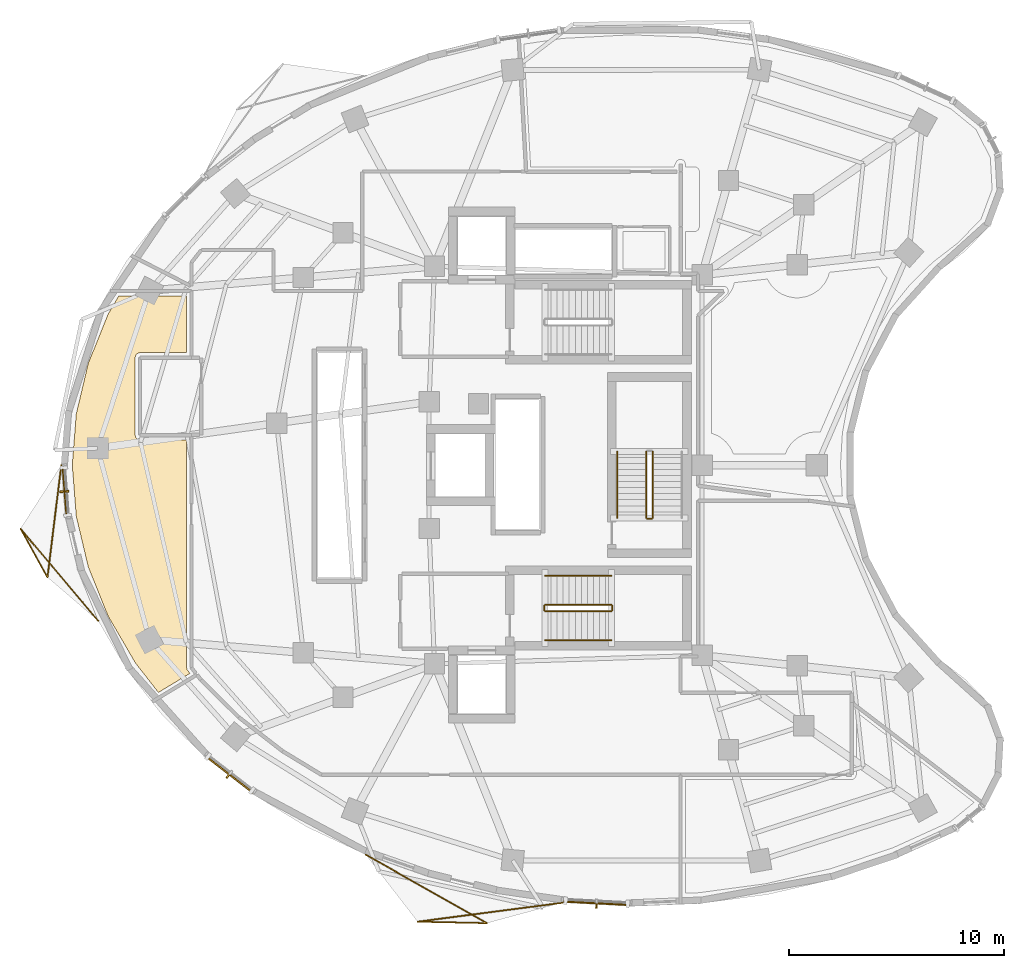
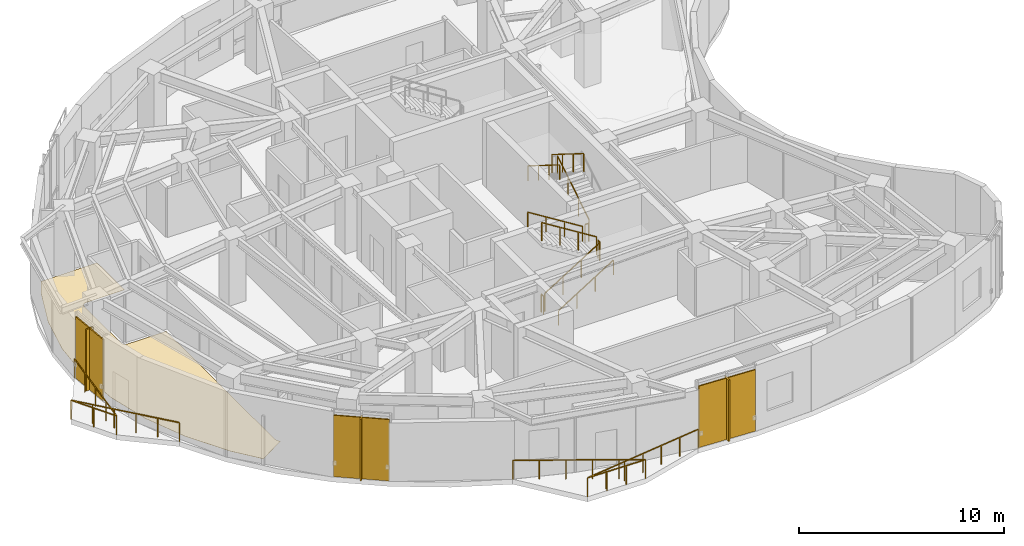
# One storey, part 11 of 13: 12 railings, 6 shading devices, 1 covering.
"""IFC4 building model written with IfcOpenShell, lengths in metres."""

from ifc_helpers import new_model, si_unit, direction, frame, origin, origin_2d, place, context, subcontext, project, spatial, polyline, rectangle, outline, extrude, material, layer, layer_set, type_object, element, save


model = new_model("IFC4")

# Units and contexts
model_context = context("Model", 3, precision=1e-05, world=origin(), true_north=direction((0.0, 1.0)))
body_context = subcontext(model_context, "Body", "Model", "MODEL_VIEW")
ifc_project = project(units=[si_unit("LENGTHUNIT", "METRE"), si_unit("AREAUNIT", "SQUARE_METRE"), si_unit("VOLUMEUNIT", "CUBIC_METRE"), si_unit("PLANEANGLEUNIT", "RADIAN"), si_unit("MASSUNIT", "GRAM", prefix="KILO")], contexts=[model_context])

# Site, building, storey
site_placement = place(None, origin())
site = spatial("IfcSite", under=ifc_project, at=site_placement, CompositionType="ELEMENT")
building_placement = place(site_placement, origin())
building = spatial("IfcBuilding", under=site, at=building_placement, Name="Korentha Bioscience Tower", CompositionType="ELEMENT")
storey_placement = place(building_placement, frame((0.0, 0.0, 175.199951171875)))
storey = spatial("IfcBuildingStorey", under=building, at=storey_placement, Name="L40", CompositionType="ELEMENT", Elevation=175.199951171875)

# Railings
ifc_material_1 = material(Name="Stainless Steel 304", Category="steel")
railing_type_1 = type_object("IfcRailingType", Name="Brushed Stainless Stair Handrail 900", PredefinedType="HANDRAIL", material=ifc_material_1)
railing_1_placement = place(storey_placement, frame((30.25, 18.85009765625, 0.175048828125)))
element("IfcRailing", 1, at=railing_1_placement, inside=storey, type_object=railing_type_1, Name="L40 ST-2 stair handrail 1", PredefinedType="HANDRAIL", context=body_context, shape_type="SweptSolid", body=[
    extrude(rectangle(XDim=0.048095703125, YDim=0.048095703125, at=origin_2d()), frame((0.0, 0.0, 0.8759765625), z_axis=(0.847998304005, 0.0, 0.529998940003), x_axis=(0.0, 1.0, 0.0)), (0.0, 0.0, 1.0), 3.632080078125),
    extrude(rectangle(XDim=0.0419921875, YDim=0.0419921875, at=origin_2d()), origin(), (0.0, 0.0, 1.0), 0.851806640625),
    extrude(rectangle(XDim=0.0419921875, YDim=0.0419921875, at=origin_2d()), frame((1.026611328125, 0.0, 0.6416015625)), (0.0, 0.0, 1.0), 0.851806640625),
    extrude(rectangle(XDim=0.0419921875, YDim=0.0419921875, at=origin_2d()), frame((2.053466796875, 0.0, 1.283447265625)), (0.0, 0.0, 1.0), 0.851806640625),
    extrude(rectangle(XDim=0.0419921875, YDim=0.0419921875, at=origin_2d()), frame((3.080078125, 0.0, 1.925048828125)), (0.0, 0.0, 1.0), 0.851806640625),
])
railing_2_placement = place(storey_placement, frame((33.330078125, 21.85009765625, 2.275146484375)))
element("IfcRailing", 2, at=railing_2_placement, inside=storey, type_object=railing_type_1, Name="L40 ST-2 stair handrail 2", PredefinedType="HANDRAIL", context=body_context, shape_type="SweptSolid", body=[
    extrude(rectangle(XDim=0.048095703125, YDim=0.048095703125, at=origin_2d()), frame((0.0, 0.0, 0.8759765625), z_axis=(-0.848028513186, 0.0, 0.529950602248), x_axis=(0.0, -1.0, 0.0)), (0.0, 0.0, 1.0), 3.632080078125),
    extrude(rectangle(XDim=0.0419921875, YDim=0.0419921875, at=origin_2d()), origin(), (0.0, 0.0, 1.0), 0.851806640625),
    extrude(rectangle(XDim=0.0419921875, YDim=0.0419921875, at=origin_2d()), frame((-1.026611328125, 0.0, 0.6416015625)), (0.0, 0.0, 1.0), 0.851806640625),
    extrude(rectangle(XDim=0.0419921875, YDim=0.0419921875, at=origin_2d()), frame((-2.053466796875, 0.0, 1.283203125)), (0.0, 0.0, 1.0), 0.851806640625),
    extrude(rectangle(XDim=0.0419921875, YDim=0.0419921875, at=origin_2d()), frame((-3.080078125, 0.0, 1.9248046875)), (0.0, 0.0, 1.0), 0.851806640625),
])
railing_3_placement = place(storey_placement, frame((33.60009765625, 27.6298828125, 2.275146484375)))
element("IfcRailing", 3, at=railing_3_placement, inside=storey, type_object=railing_type_1, Name="L40 ST-3 stair handrail 2", PredefinedType="HANDRAIL", context=body_context, shape_type="SweptSolid", body=[
    extrude(rectangle(XDim=0.048095703125, YDim=0.048095703125, at=origin_2d()), frame((0.0, 0.0, 0.8759765625), z_axis=(0.0, -0.848009633417, 0.529980812513), x_axis=(1.0, 0.0, 0.0)), (0.0, 0.0, 1.0), 3.6318359375),
    extrude(rectangle(XDim=0.0419921875, YDim=0.0419921875, at=origin_2d()), origin(), (0.0, 0.0, 1.0), 0.851806640625),
    extrude(rectangle(XDim=0.0419921875, YDim=0.0419921875, at=origin_2d()), frame((0.0, -1.026611328125, 0.6416015625)), (0.0, 0.0, 1.0), 0.851806640625),
    extrude(rectangle(XDim=0.0419921875, YDim=0.0419921875, at=origin_2d()), frame((0.0, -2.05322265625, 1.283203125)), (0.0, 0.0, 1.0), 0.851806640625),
    extrude(rectangle(XDim=0.0419921875, YDim=0.0419921875, at=origin_2d()), frame((0.0, -3.079833984375, 1.9248046875)), (0.0, 0.0, 1.0), 0.851806640625),
])
ifc_material_2 = material(Name="Laminated Tempered Safety Glass", Category="glass")
railing_type_2 = type_object("IfcRailingType", Name="Laminated Glass Balcony Guardrail 1150", PredefinedType="BALUSTRADE", material=ifc_material_2)
railing_4_placement = place(storey_placement, frame((7.736083984375, 27.0, 0.0)))
element("IfcRailing", 4, at=railing_4_placement, inside=storey, type_object=railing_type_2, Name="L40 Balcony Guardrail 02", PredefinedType="BALUSTRADE", context=body_context, shape_type="SweptSolid", body=[
    extrude(rectangle(XDim=0.048095703125, YDim=0.048095703125, at=origin_2d()), frame((0.0, 0.0, 1.1259765625), z_axis=(-0.122025166092, -0.992527006605, 0.0), x_axis=(0.992527006605, -0.122025166092, 0.0)), (0.0, 0.0, 1.0), 5.263916015625),
    extrude(rectangle(XDim=0.048095703125, YDim=0.048095703125, at=origin_2d()), frame((-0.642333984375, -5.224609375, 1.1259765625), z_axis=(-0.485098789135, 0.874459355705, 0.0), x_axis=(-0.874459355705, -0.485098789135, 0.0)), (0.0, 0.0, 1.0), 2.5908203125),
    extrude(rectangle(XDim=0.048095703125, YDim=0.048095703125, at=origin_2d()), frame((-1.899169921875, -2.958984375, 1.1259765625), z_axis=(0.644919398028, -0.76425059375, 0.0), x_axis=(0.76425059375, 0.644919398028, 0.0)), (0.0, 0.0, 1.0), 5.60986328125),
    extrude(rectangle(XDim=0.0419921875, YDim=0.0419921875, at=origin_2d()), origin(), (0.0, 0.0, 1.0), 1.101806640625),
    extrude(rectangle(XDim=0.0419921875, YDim=0.0419921875, at=origin_2d()), frame((-0.16064453125, -1.30615234375, 0.0)), (0.0, 0.0, 1.0), 1.101806640625),
    extrude(rectangle(XDim=0.0419921875, YDim=0.0419921875, at=origin_2d()), frame((-0.3212890625, -2.6123046875, 0.0)), (0.0, 0.0, 1.0), 1.101806640625),
    extrude(rectangle(XDim=0.0419921875, YDim=0.0419921875, at=origin_2d()), frame((-0.481689453125, -3.91845703125, 0.0)), (0.0, 0.0, 1.0), 1.101806640625),
    extrude(rectangle(XDim=0.0419921875, YDim=0.0419921875, at=origin_2d()), frame((-0.642333984375, -5.224609375, 0.0)), (0.0, 0.0, 1.0), 1.101806640625),
    extrude(rectangle(XDim=0.0419921875, YDim=0.0419921875, at=origin_2d()), frame((-1.270751953125, -4.091796875, 0.0)), (0.0, 0.0, 1.0), 1.101806640625),
    extrude(rectangle(XDim=0.0419921875, YDim=0.0419921875, at=origin_2d()), frame((-1.899169921875, -2.958984375, 0.0)), (0.0, 0.0, 1.0), 1.101806640625),
    extrude(rectangle(XDim=0.0419921875, YDim=0.0419921875, at=origin_2d()), frame((-1.175537109375, -3.81640625, 0.0)), (0.0, 0.0, 1.0), 1.101806640625),
    extrude(rectangle(XDim=0.0419921875, YDim=0.0419921875, at=origin_2d()), frame((-0.451904296875, -4.673828125, 0.0)), (0.0, 0.0, 1.0), 1.101806640625),
    extrude(rectangle(XDim=0.0419921875, YDim=0.0419921875, at=origin_2d()), frame((0.271484375, -5.531494140625, 0.0)), (0.0, 0.0, 1.0), 1.101806640625),
    extrude(rectangle(XDim=0.0419921875, YDim=0.0419921875, at=origin_2d()), frame((0.9951171875, -6.388916015625, 0.0)), (0.0, 0.0, 1.0), 1.101806640625),
    extrude(rectangle(XDim=0.0419921875, YDim=0.0419921875, at=origin_2d()), frame((1.71875, -7.246337890625, 0.0)), (0.0, 0.0, 1.0), 1.101806640625),
])
railing_5_placement = place(storey_placement, frame((21.907470703125, 8.871337890625, 0.0)))
element("IfcRailing", 5, at=railing_5_placement, inside=storey, type_object=railing_type_2, Name="L40 Balcony Guardrail 03", PredefinedType="BALUSTRADE", context=body_context, shape_type="SweptSolid", body=[
    extrude(rectangle(XDim=0.048095703125, YDim=0.048095703125, at=origin_2d()), frame((0.0, 0.0, 1.1259765625), z_axis=(0.870664024138, -0.491878193327, 0.0), x_axis=(0.491878193327, 0.870664024138, 0.0)), (0.0, 0.0, 1.0), 6.4697265625),
    extrude(rectangle(XDim=0.048095703125, YDim=0.048095703125, at=origin_2d()), frame((5.633056640625, -3.182373046875, 1.1259765625), z_axis=(-0.99977218626, 0.021344216559, 0.0), x_axis=(-0.021344216559, -0.99977218626, 0.0)), (0.0, 0.0, 1.0), 3.2255859375),
    extrude(rectangle(XDim=0.048095703125, YDim=0.048095703125, at=origin_2d()), frame((2.408203125, -3.113525390625, 1.1259765625), z_axis=(0.99157569469, 0.129528536236, 0.0), x_axis=(-0.129528536236, 0.99157569469, 0.0)), (0.0, 0.0, 1.0), 6.77978515625),
    extrude(rectangle(XDim=0.0419921875, YDim=0.0419921875, at=origin_2d()), origin(), (0.0, 0.0, 1.0), 1.101806640625),
    extrude(rectangle(XDim=0.0419921875, YDim=0.0419921875, at=origin_2d()), frame((1.126708984375, -0.636474609375, 0.0)), (0.0, 0.0, 1.0), 1.101806640625),
    extrude(rectangle(XDim=0.0419921875, YDim=0.0419921875, at=origin_2d()), frame((2.253173828125, -1.27294921875, 0.0)), (0.0, 0.0, 1.0), 1.101806640625),
    extrude(rectangle(XDim=0.0419921875, YDim=0.0419921875, at=origin_2d()), frame((3.3798828125, -1.909423828125, 0.0)), (0.0, 0.0, 1.0), 1.101806640625),
    extrude(rectangle(XDim=0.0419921875, YDim=0.0419921875, at=origin_2d()), frame((4.50634765625, -2.5458984375, 0.0)), (0.0, 0.0, 1.0), 1.101806640625),
    extrude(rectangle(XDim=0.0419921875, YDim=0.0419921875, at=origin_2d()), frame((5.633056640625, -3.182373046875, 0.0)), (0.0, 0.0, 1.0), 1.101806640625),
    extrude(rectangle(XDim=0.0419921875, YDim=0.0419921875, at=origin_2d()), frame((4.55810546875, -3.159423828125, 0.0)), (0.0, 0.0, 1.0), 1.101806640625),
    extrude(rectangle(XDim=0.0419921875, YDim=0.0419921875, at=origin_2d()), frame((3.483154296875, -3.136474609375, 0.0)), (0.0, 0.0, 1.0), 1.101806640625),
    extrude(rectangle(XDim=0.0419921875, YDim=0.0419921875, at=origin_2d()), frame((2.408203125, -3.113525390625, 0.0)), (0.0, 0.0, 1.0), 1.101806640625),
    extrude(rectangle(XDim=0.0419921875, YDim=0.0419921875, at=origin_2d()), frame((3.528564453125, -2.96728515625, 0.0)), (0.0, 0.0, 1.0), 1.101806640625),
    extrude(rectangle(XDim=0.0419921875, YDim=0.0419921875, at=origin_2d()), frame((4.649169921875, -2.82080078125, 0.0)), (0.0, 0.0, 1.0), 1.101806640625),
    extrude(rectangle(XDim=0.0419921875, YDim=0.0419921875, at=origin_2d()), frame((5.76953125, -2.67431640625, 0.0)), (0.0, 0.0, 1.0), 1.101806640625),
    extrude(rectangle(XDim=0.0419921875, YDim=0.0419921875, at=origin_2d()), frame((6.889892578125, -2.528076171875, 0.0)), (0.0, 0.0, 1.0), 1.101806640625),
    extrude(rectangle(XDim=0.0419921875, YDim=0.0419921875, at=origin_2d()), frame((8.010498046875, -2.3818359375, 0.0)), (0.0, 0.0, 1.0), 1.101806640625),
    extrude(rectangle(XDim=0.0419921875, YDim=0.0419921875, at=origin_2d()), frame((9.130859375, -2.2353515625, 0.0)), (0.0, 0.0, 1.0), 1.101806640625),
])
ifc_material_3 = material(Name="Painted Steel S275", Category="steel")
railing_type_3 = type_object("IfcRailingType", Name="Painted Steel Stair Well Guardrail 1100", PredefinedType="GUARDRAIL", material=ifc_material_3)
railing_6_placement = place(storey_placement, frame((30.25, 20.199951171875, 0.175048828125)))
element("IfcRailing", 6, at=railing_6_placement, inside=storey, type_object=railing_type_3, Name="L40 ST-2 stair guard 1", PredefinedType="GUARDRAIL", context=body_context, shape_type="SweptSolid", body=[
    extrude(rectangle(XDim=0.048095703125, YDim=0.048095703125, at=origin_2d()), frame((0.0, 0.0, 1.076171875), z_axis=(0.847998304005, 0.0, 0.529998940003), x_axis=(0.0, 1.0, 0.0)), (0.0, 0.0, 1.0), 3.632080078125),
    extrude(rectangle(XDim=0.0419921875, YDim=0.0419921875, at=origin_2d()), origin(), (0.0, 0.0, 1.0), 1.052001953125),
    extrude(rectangle(XDim=0.0419921875, YDim=0.0419921875, at=origin_2d()), frame((1.026611328125, 0.0, 0.6416015625)), (0.0, 0.0, 1.0), 1.052001953125),
    extrude(rectangle(XDim=0.0419921875, YDim=0.0419921875, at=origin_2d()), frame((2.053466796875, 0.0, 1.283447265625)), (0.0, 0.0, 1.0), 1.052001953125),
    extrude(rectangle(XDim=0.0419921875, YDim=0.0419921875, at=origin_2d()), frame((3.080078125, 0.0, 1.925048828125)), (0.0, 0.0, 1.0), 1.052001953125),
])
railing_7_placement = place(storey_placement, frame((33.3798828125, 20.25, 2.10009765625)))
element("IfcRailing", 7, at=railing_7_placement, inside=storey, type_object=railing_type_3, Name="L40 ST-2 stair guard 2", PredefinedType="GUARDRAIL", context=body_context, shape_type="SweptSolid", body=[
    extrude(rectangle(XDim=0.048095703125, YDim=0.048095703125, at=origin_2d()), frame((0.0, 0.0, 1.076171875), z_axis=(0.0, 1.0, 0.0), x_axis=(-1.0, 0.0, 0.0)), (0.0, 0.0, 1.0), 0.199951171875),
    extrude(rectangle(XDim=0.0419921875, YDim=0.0419921875, at=origin_2d()), origin(), (0.0, 0.0, 1.0), 1.052001953125),
    extrude(rectangle(XDim=0.0419921875, YDim=0.0419921875, at=origin_2d()), frame((0.0, 0.199951171875, 0.0)), (0.0, 0.0, 1.0), 1.052001953125),
])
railing_8_placement = place(storey_placement, frame((33.330078125, 20.5, 2.275146484375)))
element("IfcRailing", 8, at=railing_8_placement, inside=storey, type_object=railing_type_3, Name="L40 ST-2 stair guard 3", PredefinedType="GUARDRAIL", context=body_context, shape_type="SweptSolid", body=[
    extrude(rectangle(XDim=0.048095703125, YDim=0.048095703125, at=origin_2d()), frame((0.0, 0.0, 1.076171875), z_axis=(-0.848028513186, 0.0, 0.529950602248), x_axis=(0.0, -1.0, 0.0)), (0.0, 0.0, 1.0), 3.632080078125),
    extrude(rectangle(XDim=0.0419921875, YDim=0.0419921875, at=origin_2d()), origin(), (0.0, 0.0, 1.0), 1.052001953125),
    extrude(rectangle(XDim=0.0419921875, YDim=0.0419921875, at=origin_2d()), frame((-1.026611328125, 0.0, 0.6416015625)), (0.0, 0.0, 1.0), 1.052001953125),
    extrude(rectangle(XDim=0.0419921875, YDim=0.0419921875, at=origin_2d()), frame((-2.053466796875, 0.0, 1.283203125)), (0.0, 0.0, 1.0), 1.052001953125),
    extrude(rectangle(XDim=0.0419921875, YDim=0.0419921875, at=origin_2d()), frame((-3.080078125, 0.0, 1.9248046875)), (0.0, 0.0, 1.0), 1.052001953125),
])
railing_9_placement = place(storey_placement, frame((30.199951171875, 20.25, 0.0)))
element("IfcRailing", 9, at=railing_9_placement, inside=storey, type_object=railing_type_3, Name="L40 ST-2 stair guard 4", PredefinedType="GUARDRAIL", context=body_context, shape_type="SweptSolid", body=[
    extrude(rectangle(XDim=0.048095703125, YDim=0.048095703125, at=origin_2d()), frame((0.0, 0.0, 1.076171875), z_axis=(0.0, 1.0, 0.0), x_axis=(-1.0, 0.0, 0.0)), (0.0, 0.0, 1.0), 0.199951171875),
    extrude(rectangle(XDim=0.0419921875, YDim=0.0419921875, at=origin_2d()), origin(), (0.0, 0.0, 1.0), 1.052001953125),
    extrude(rectangle(XDim=0.0419921875, YDim=0.0419921875, at=origin_2d()), frame((0.0, 0.199951171875, 0.0)), (0.0, 0.0, 1.0), 1.052001953125),
])
railing_10_placement = place(storey_placement, frame((35.25, 24.550048828125, 0.175048828125)))
element("IfcRailing", 10, at=railing_10_placement, inside=storey, type_object=railing_type_3, Name="L40 ST-3 stair guard 1", PredefinedType="GUARDRAIL", context=body_context, shape_type="SweptSolid", body=[
    extrude(rectangle(XDim=0.048095703125, YDim=0.048095703125, at=origin_2d()), frame((0.0, 0.0, 1.076171875), z_axis=(0.0, 0.847979421464, 0.530029150871), x_axis=(-1.0, 0.0, 0.0)), (0.0, 0.0, 1.0), 3.632080078125),
    extrude(rectangle(XDim=0.0419921875, YDim=0.0419921875, at=origin_2d()), origin(), (0.0, 0.0, 1.0), 1.052001953125),
    extrude(rectangle(XDim=0.0419921875, YDim=0.0419921875, at=origin_2d()), frame((0.0, 1.026611328125, 0.6416015625)), (0.0, 0.0, 1.0), 1.052001953125),
    extrude(rectangle(XDim=0.0419921875, YDim=0.0419921875, at=origin_2d()), frame((0.0, 2.05322265625, 1.283447265625)), (0.0, 0.0, 1.0), 1.052001953125),
    extrude(rectangle(XDim=0.0419921875, YDim=0.0419921875, at=origin_2d()), frame((0.0, 3.079833984375, 1.925048828125)), (0.0, 0.0, 1.0), 1.052001953125),
])
railing_11_placement = place(storey_placement, frame((34.949951171875, 27.6298828125, 2.275146484375)))
element("IfcRailing", 11, at=railing_11_placement, inside=storey, type_object=railing_type_3, Name="L40 ST-3 stair guard 3", PredefinedType="GUARDRAIL", context=body_context, shape_type="SweptSolid", body=[
    extrude(rectangle(XDim=0.048095703125, YDim=0.048095703125, at=origin_2d()), frame((0.0, 0.0, 1.076171875), z_axis=(0.0, -0.848009633417, 0.529980812513), x_axis=(1.0, 0.0, 0.0)), (0.0, 0.0, 1.0), 3.6318359375),
    extrude(rectangle(XDim=0.0419921875, YDim=0.0419921875, at=origin_2d()), origin(), (0.0, 0.0, 1.0), 1.052001953125),
    extrude(rectangle(XDim=0.0419921875, YDim=0.0419921875, at=origin_2d()), frame((0.0, -1.026611328125, 0.6416015625)), (0.0, 0.0, 1.0), 1.052001953125),
    extrude(rectangle(XDim=0.0419921875, YDim=0.0419921875, at=origin_2d()), frame((0.0, -2.05322265625, 1.283203125)), (0.0, 0.0, 1.0), 1.052001953125),
    extrude(rectangle(XDim=0.0419921875, YDim=0.0419921875, at=origin_2d()), frame((0.0, -3.079833984375, 1.9248046875)), (0.0, 0.0, 1.0), 1.052001953125),
])
railing_12_placement = place(storey_placement, frame((35.199951171875, 24.5, 0.0)))
element("IfcRailing", 12, at=railing_12_placement, inside=storey, type_object=railing_type_3, Name="L40 ST-3 stair guard 4", PredefinedType="GUARDRAIL", context=body_context, shape_type="SweptSolid", body=[
    extrude(rectangle(XDim=0.048095703125, YDim=0.048095703125, at=origin_2d()), frame((0.0, 0.0, 1.076171875), z_axis=(-1.0, 0.0, 0.0), x_axis=(0.0, -1.0, 0.0)), (0.0, 0.0, 1.0), 0.199951171875),
    extrude(rectangle(XDim=0.0419921875, YDim=0.0419921875, at=origin_2d()), origin(), (0.0, 0.0, 1.0), 1.052001953125),
    extrude(rectangle(XDim=0.0419921875, YDim=0.0419921875, at=origin_2d()), frame((-0.199951171875, 0.0, 0.0)), (0.0, 0.0, 1.0), 1.052001953125),
])

# Shading devices
ifc_material_4 = material(Name="Perforated Stone-Ceramic Composite", Category="masonry")
ifc_layer_1 = layer(ifc_material_4, 0.06494140625, Name="Perforated Stone-Ceramic Composite")
ifc_layer_set_1 = layer_set([ifc_layer_1], Name="Perforated Stone-Ceramic Composite (CS-01)")
shading_device_type_1 = type_object("IfcShadingDeviceType", Name="Perforated Stone-Ceramic Solar Screen Panel 65", PredefinedType="USERDEFINED", material=ifc_layer_set_1)
shading_device_1_placement = place(storey_placement, frame((7.89208984375, 25.773193359375, 0.0), z_axis=(0.0, 0.0, 1.0), x_axis=(0.078030772566, -0.996950950916, 0.0)))
element("IfcShadingDevice", 13, at=shading_device_1_placement, inside=storey, type_object=shading_device_type_1, Name="CW-L40-19 Perforated Stone-Ceramic Solar Screen", ObjectType="SCREEN", PredefinedType="USERDEFINED", context=body_context, shape_type="SweptSolid", body=[
    extrude(rectangle(XDim=2.370361328125, YDim=0.06494140625, at=origin_2d()), origin(), (0.0, 0.0, 1.0), 3.64990234375),
])
shading_device_2_placement = place(storey_placement, frame((15.5576171875, 12.611572265625, 0.0), z_axis=(0.0, 0.0, 1.0), x_axis=(0.790546796919, -0.612401634454, 0.0)))
element("IfcShadingDevice", 14, at=shading_device_2_placement, inside=storey, type_object=shading_device_type_1, Name="CW-L40-25 Perforated Stone-Ceramic Solar Screen", ObjectType="SCREEN", PredefinedType="USERDEFINED", context=body_context, shape_type="SweptSolid", body=[
    extrude(rectangle(XDim=2.759765625, YDim=0.06494140625, at=origin_2d()), origin(), (0.0, 0.0, 1.0), 3.64990234375),
])
shading_device_3_placement = place(storey_placement, frame((32.642578125, 6.612060546875, 0.0), z_axis=(0.0, 0.0, 1.0), x_axis=(0.998637677307, -0.052180355139, 0.0)))
element("IfcShadingDevice", 15, at=shading_device_3_placement, inside=storey, type_object=shading_device_type_1, Name="CW-L40-31 Perforated Stone-Ceramic Solar Screen", ObjectType="SCREEN", PredefinedType="USERDEFINED", context=body_context, shape_type="SweptSolid", body=[
    extrude(rectangle(XDim=3.106689453125, YDim=0.06494140625, at=origin_2d()), origin(), (0.0, 0.0, 1.0), 3.64990234375),
])

# Covering
ifc_material_5 = material(Name="Chemical-Resistant Epoxy Resin", Category="polymer")
ifc_layer_2 = layer(ifc_material_5, 0.011962890625, Name="Chemical-Resistant Epoxy Resin")
ifc_layer_set_2 = layer_set([ifc_layer_2], Name="Chemical-Resistant Epoxy Resin (FL-EPX)")
covering_type = type_object("IfcCoveringType", Name="Seamless Epoxy Laboratory Flooring 12", PredefinedType="FLOORING", material=ifc_layer_set_2)
covering_placement = place(storey_placement, origin())
element("IfcCovering", 16, at=covering_placement, inside=storey, type_object=covering_type, Name="L40 Staff Pantry Kitchenette 01 Floor Finish", PredefinedType="FLOORING", context=body_context, shape_type="SweptSolid", body=[
    extrude(outline(polyline([(8.43408203125, 29.38330078125), (8.991943359375, 31.734619140625), (9.9140625, 34.021484375), (10.41259765625, 34.8779296875), (13.570068359375, 34.8779296875), (13.570068359375, 32.22998046875), (11.38818359375, 32.229736328125), (11.302001953125, 32.2080078125), (11.2451171875, 32.170166015625), (11.19189453125, 32.097900390625), (11.17041015625, 32.01171875), (11.169921875, 28.39990234375), (11.202880859375, 28.28125), (11.2822265625, 28.202392578125), (11.38916015625, 28.17041015625), (13.570068359375, 28.169921875), (13.570068359375, 17.58251953125), (13.600341796875, 17.468505859375), (13.720458984375, 17.310791015625), (12.2568359375, 16.4228515625), (11.189453125, 17.788330078125), (9.914306640625, 19.978271484375), (8.991943359375, 22.26513671875), (8.43408203125, 24.616455078125), (8.24755859375, 27.0), (8.43408203125, 29.38330078125)])), origin(), (0.0, 0.0, 1.0), 0.011962890625),
])

# Shading devices
ifc_material_6 = material(Name="Honed Travertine Limestone", Category="masonry")
ifc_layer_3 = layer(ifc_material_6, 0.080078125, Name="Honed Travertine Limestone")
ifc_layer_set_3 = layer_set([ifc_layer_3], Name="Honed Travertine Limestone (CS-02)")
shading_device_type_2 = type_object("IfcShadingDeviceType", Name="Vertical Honed Limestone Sunshade Fin 80x420", PredefinedType="USERDEFINED", material=ifc_layer_set_3)
for number, where, z_axis, x_axis, name in (
    (17, (7.872314453125, 25.771728515625, 0.0), (0.0, 0.0, 1.0), (0.078030772566, -0.996950950916, 0.0), "CW-L40-19 Limestone Sunshade Fin"),
    (18, (15.54541015625, 12.595947265625, 0.0), (0.0, 0.0, 1.0), (0.790546796919, -0.612401634454, 0.0), "CW-L40-25 Limestone Sunshade Fin"),
    (19, (32.6416015625, 6.59228515625, 0.0), (0.0, 0.0, 1.0), (0.998637677307, -0.052180355139, 0.0), "CW-L40-31 Limestone Sunshade Fin"),
):
    element("IfcShadingDevice", number, at=place(storey_placement, frame(where, z_axis=z_axis, x_axis=x_axis)), inside=storey, type_object=shading_device_type_2, Name=name, ObjectType="SCREEN", PredefinedType="USERDEFINED", context=body_context, shape_type="SweptSolid", body=[
        extrude(rectangle(XDim=0.080078125, YDim=0.419921875, at=origin_2d()), origin(), (0.0, 0.0, 1.0), 3.64990234375),
    ])

save(model, "model.ifc")
